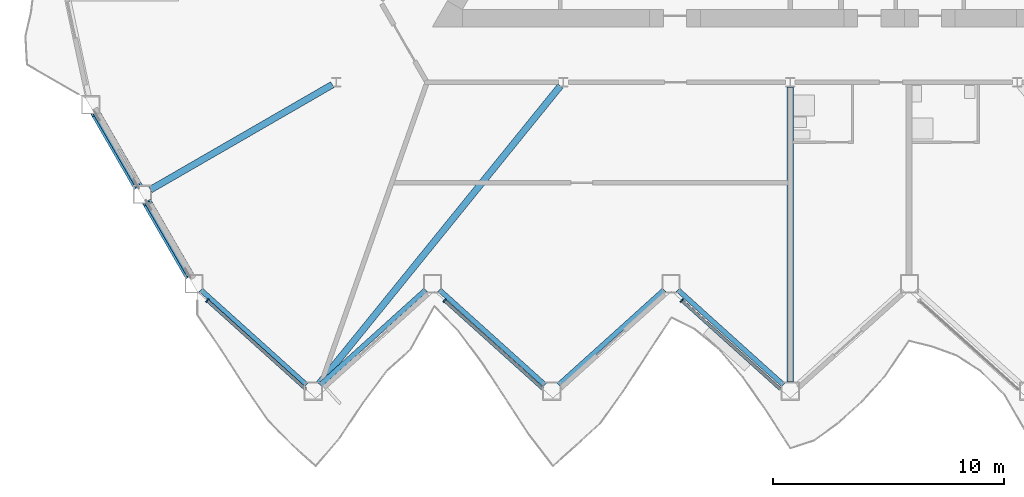
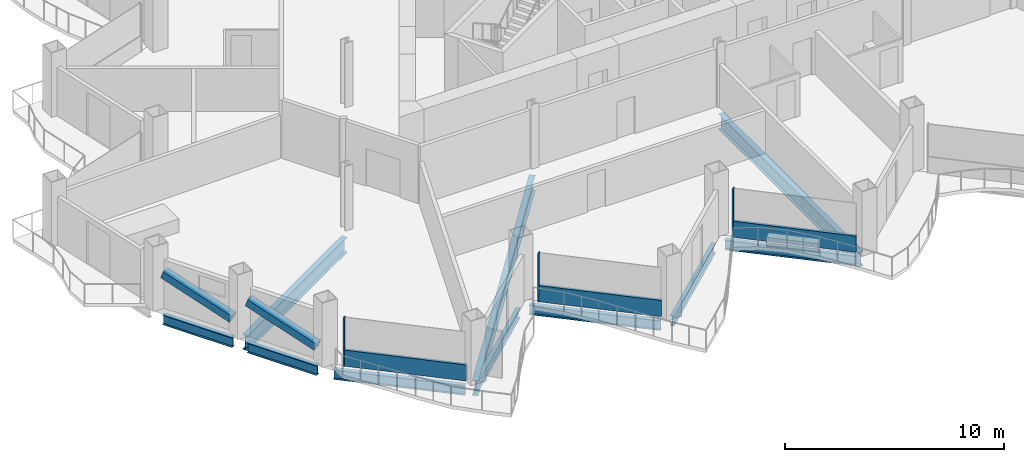
# One storey, part 3 of 22: 10 beams, 8 members, 3 elements without a shape of their own.
"""IFC4 building model written with IfcOpenShell, lengths in metres."""

from ifc_helpers import new_model, si_unit, direction, frame, origin, origin_2d, place, context, subcontext, project, spatial, rectangle, hollow_rectangle, i_section, extrude, material, layer, layer_set, material_profile, profile_set, type_object, element, aggregate, save


model = new_model("IFC4")

# Units and contexts
model_context = context("Model", 3, precision=1e-05, world=origin(), true_north=direction((0.0, 1.0)))
body_context = subcontext(model_context, "Body", "Model", "MODEL_VIEW")
ifc_project = project(units=[si_unit("LENGTHUNIT", "METRE"), si_unit("AREAUNIT", "SQUARE_METRE"), si_unit("VOLUMEUNIT", "CUBIC_METRE"), si_unit("PLANEANGLEUNIT", "RADIAN"), si_unit("MASSUNIT", "GRAM", prefix="KILO")], contexts=[model_context])

# Site, building, storey
site_placement = place(None, origin())
site = spatial("IfcSite", under=ifc_project, at=site_placement, CompositionType="ELEMENT")
building_placement = place(site_placement, origin())
building = spatial("IfcBuilding", under=site, at=building_placement, Name="Cormorant Prow Tower", CompositionType="ELEMENT")
storey_placement = place(building_placement, frame((0.0, 0.0, 194.39990234375)))
storey = spatial("IfcBuildingStorey", under=building, at=storey_placement, Name="L42", CompositionType="ELEMENT", Elevation=194.39990234375)

# Members
ifc_material_1 = material(Name="Structural steel ASTM A500 Gr C", Category="steel")
ifc_material_profile_1 = material_profile(ifc_material_1, hollow_rectangle(XDim=0.406494140625, YDim=0.406494140625, WallThickness=0.01171875, at=origin_2d()), Name="HSS16x16x1/2")
ifc_profile_set_1 = profile_set([ifc_material_profile_1], Name="Structural steel ASTM A500 Gr C")
member_type_1 = type_object("IfcMemberType", Name="Chamfer brace HSS16x16x1/2", PredefinedType="BRACE", material=ifc_profile_set_1)
member_1_placement = place(storey_placement, frame((-28.267333984375, -15.838623046875, 0.740234375), z_axis=(-0.473992878603, 0.821006330213, 0.318244177926), x_axis=(-0.866032413668, -0.499987858329, 0.0)))
element("IfcMember", 1, at=member_1_placement, inside=storey, type_object=member_type_1, Name="Chamfer brace BR2 at WSW00 L42", PredefinedType="BRACE", context=body_context, shape_type="SweptSolid", body=[
    extrude(hollow_rectangle(XDim=0.406494140625, YDim=0.406494140625, WallThickness=0.01171875, at=origin_2d()), origin(), (0.0, 0.0, 1.0), 3.835693359375),
])
member_2_placement = place(storey_placement, frame((-26.0322265625, -19.7099609375, 0.740234375), z_axis=(-0.474017648602, 0.820985582338, 0.318260808783), x_axis=(-0.866015628144, -0.500016931523, 0.0)))
element("IfcMember", 2, at=member_2_placement, inside=storey, type_object=member_type_1, Name="Chamfer brace BR2 at WSW01 L42", PredefinedType="BRACE", context=body_context, shape_type="SweptSolid", body=[
    extrude(hollow_rectangle(XDim=0.406494140625, YDim=0.406494140625, WallThickness=0.01171875, at=origin_2d()), origin(), (0.0, 0.0, 1.0), 3.83544921875),
])

# Curtain wall, member
ifc_material_2 = material(Name="Aluminium 6063-T6", Category="aluminium")
ifc_layer = layer(ifc_material_2, 0.179931640625)
ifc_layer_set = layer_set([ifc_layer], Name="Aluminium 6063-T6")
curtain_wall_type = type_object("IfcCurtainWallType", Name="Hotel unitised curtain wall 180", PredefinedType="NOTDEFINED", material=ifc_layer_set)
curtain_wall_1_placement = place(storey_placement, origin())
curtain_wall_1 = element("IfcCurtainWall", 3, at=curtain_wall_1_placement, inside=storey, type_object=curtain_wall_type, Name="Hotel curtain wall S00", PredefinedType="NOTDEFINED")
ifc_material_3 = material(Name="Aluminium 6063-T6", Category="aluminium")
ifc_material_profile_2 = material_profile(ifc_material_3, rectangle(XDim=0.179931640625, YDim=0.06005859375, at=origin_2d()), Name="Hotel mullion 60x180")
ifc_profile_set_2 = profile_set([ifc_material_profile_2], Name="Aluminium 6063-T6")
member_type_2 = type_object("IfcMemberType", Name="Hotel mullion 60x180", PredefinedType="MULLION", material=ifc_profile_set_2)
member_3_placement = place(storey_placement, frame((-25.248291015625, -20.799072265625, 0.0), z_axis=(0.0, 0.0, 1.0), x_axis=(0.66913059916, 0.743144831959, 0.0)))
member_3 = element("IfcMember", 4, at=member_3_placement, type_object=member_type_2, Name="Hotel mullion S00", PredefinedType="MULLION", context=body_context, shape_type="SweptSolid", body=[
    extrude(rectangle(XDim=0.179931640625, YDim=0.06005859375, at=origin_2d()), origin(), (0.0, 0.0, 1.0), 2.700927734375),
])

curtain_wall_2_placement = place(storey_placement, origin())
curtain_wall_2 = element("IfcCurtainWall", 5, at=curtain_wall_2_placement, inside=storey, type_object=curtain_wall_type, Name="Hotel curtain wall S02", PredefinedType="NOTDEFINED")
member_4_placement = place(storey_placement, frame((-14.97119140625, -20.799072265625, 0.0), z_axis=(0.0, 0.0, 1.0), x_axis=(0.66913059916, 0.743144831959, 0.0)))
member_4 = element("IfcMember", 6, at=member_4_placement, type_object=member_type_2, Name="Hotel mullion S02", PredefinedType="MULLION", context=body_context, shape_type="SweptSolid", body=[
    extrude(rectangle(XDim=0.179931640625, YDim=0.06005859375, at=origin_2d()), origin(), (0.0, 0.0, 1.0), 2.700927734375),
])

curtain_wall_3_placement = place(storey_placement, origin())
curtain_wall_3 = element("IfcCurtainWall", 7, at=curtain_wall_3_placement, inside=storey, type_object=curtain_wall_type, Name="Hotel curtain wall S04", PredefinedType="NOTDEFINED")
member_5_placement = place(storey_placement, frame((-4.694091796875, -20.799072265625, 0.0), z_axis=(0.0, 0.0, 1.0), x_axis=(0.66913059916, 0.743144831959, 0.0)))
member_5 = element("IfcMember", 8, at=member_5_placement, type_object=member_type_2, Name="Hotel mullion S04", PredefinedType="MULLION", context=body_context, shape_type="SweptSolid", body=[
    extrude(rectangle(XDim=0.179931640625, YDim=0.06005859375, at=origin_2d()), origin(), (0.0, 0.0, 1.0), 2.700927734375),
])

# Member
ifc_material_4 = material(Name="Terracotta", Category="masonry")
ifc_material_profile_3 = material_profile(ifc_material_4, rectangle(XDim=0.139892578125, YDim=0.89990234375, at=origin_2d()), Name="Hotel terracotta spandrel rail 140x900")
ifc_profile_set_3 = profile_set([ifc_material_profile_3], Name="Terracotta")
member_type_3 = type_object("IfcMemberType", Name="Hotel terracotta spandrel rail 140x900", PredefinedType="USERDEFINED", material=ifc_profile_set_3)
member_6_placement = place(storey_placement, frame((-25.225830078125, -20.819091796875, 0.4501953125), z_axis=(0.743130669923, -0.669146327361, 0.0), x_axis=(0.669146327361, 0.743130669923, 0.0)))
member_6 = element("IfcMember", 9, at=member_6_placement, type_object=member_type_3, Name="Hotel spandrel rail S00", ObjectType="TRANSOM", PredefinedType="USERDEFINED", context=body_context, shape_type="SweptSolid", body=[
    extrude(rectangle(XDim=0.139892578125, YDim=0.89990234375, at=origin_2d()), origin(), (0.0, 0.0, 1.0), 5.71875),
])

aggregate(curtain_wall_1, [member_3, member_6])

member_7_placement = place(storey_placement, frame((-14.948974609375, -20.819091796875, 0.4501953125), z_axis=(0.743130669923, -0.669146327361, 0.0), x_axis=(0.669146327361, 0.743130669923, 0.0)))
member_7 = element("IfcMember", 10, at=member_7_placement, type_object=member_type_3, Name="Hotel spandrel rail S02", ObjectType="TRANSOM", PredefinedType="USERDEFINED", context=body_context, shape_type="SweptSolid", body=[
    extrude(rectangle(XDim=0.139892578125, YDim=0.89990234375, at=origin_2d()), origin(), (0.0, 0.0, 1.0), 5.71875),
])

aggregate(curtain_wall_2, [member_4, member_7])

member_8_placement = place(storey_placement, frame((-4.671875, -20.819091796875, 0.4501953125), z_axis=(0.743130669923, -0.669146327361, 0.0), x_axis=(0.669146327361, 0.743130669923, 0.0)))
member_8 = element("IfcMember", 11, at=member_8_placement, type_object=member_type_3, Name="Hotel spandrel rail S04", ObjectType="TRANSOM", PredefinedType="USERDEFINED", context=body_context, shape_type="SweptSolid", body=[
    extrude(rectangle(XDim=0.139892578125, YDim=0.89990234375, at=origin_2d()), origin(), (0.0, 0.0, 1.0), 5.71875),
])

aggregate(curtain_wall_3, [member_5, member_8])

# Beams
ifc_material_5 = material(Name="Structural steel ASTM A992 Gr 50", Category="steel")
ifc_material_profile_4 = material_profile(ifc_material_5, i_section(OverallWidth=0.29296875, OverallDepth=0.845703125, WebThickness=0.015380859375, FlangeThickness=0.0244140625, at=origin_2d()), Name="W33x141")
ifc_profile_set_4 = profile_set([ifc_material_profile_4], Name="Structural steel ASTM A992 Gr 50")
beam_type_1 = type_object("IfcBeamType", Name="Radial floor beam W33x141", PredefinedType="BEAM", material=ifc_profile_set_4)
beam_1_placement = place(storey_placement, frame((-19.833251953125, -11.45068359375, -0.772705078125), z_axis=(-0.866023373109, -0.500003517217, 0.0), x_axis=(0.500003517217, -0.866023373109, 0.0)))
element("IfcBeam", 12, at=beam_1_placement, inside=storey, type_object=beam_type_1, Name="Radial floor beam FB2 5 L42", PredefinedType="BEAM", context=body_context, shape_type="SweptSolid", body=[
    extrude(i_section(OverallWidth=0.29296875, OverallDepth=0.845703125, WebThickness=0.015380859375, FlangeThickness=0.0244140625, at=origin_2d()), origin(), (0.0, 0.0, 1.0), 9.09814453125),
])
beam_2_placement = place(storey_placement, frame((-9.95654296875, -11.50732421875, -0.772705078125), z_axis=(-0.629385162657, -0.777093505974, 0.0), x_axis=(0.777093505974, -0.629385162657, 0.0)))
element("IfcBeam", 13, at=beam_2_placement, inside=storey, type_object=beam_type_1, Name="Radial floor beam FB2 6 L42", PredefinedType="BEAM", context=body_context, shape_type="SweptSolid", body=[
    extrude(i_section(OverallWidth=0.29296875, OverallDepth=0.845703125, WebThickness=0.015380859375, FlangeThickness=0.0244140625, at=origin_2d()), origin(), (0.0, 0.0, 1.0), 16.6044921875),
])
beam_3_placement = place(storey_placement, frame((0.0, -11.552734375, -0.772705078125), z_axis=(0.0, -1.0, 0.0), x_axis=(1.0, 0.0, 0.0)))
element("IfcBeam", 14, at=beam_3_placement, inside=storey, type_object=beam_type_1, Name="Radial floor beam FB2 7 L42", PredefinedType="BEAM", context=body_context, shape_type="SweptSolid", body=[
    extrude(i_section(OverallWidth=0.29296875, OverallDepth=0.845703125, WebThickness=0.015380859375, FlangeThickness=0.0244140625, at=origin_2d()), origin(), (0.0, 0.0, 1.0), 12.768798828125),
])
ifc_material_6 = material(Name="Structural steel ASTM A992 Gr 50", Category="steel")
ifc_material_profile_5 = material_profile(ifc_material_6, i_section(OverallWidth=0.2138671875, OverallDepth=0.549072265625, WebThickness=0.0146484375, FlangeThickness=0.023681640625, at=origin_2d()), Name="W21x93")
ifc_profile_set_5 = profile_set([ifc_material_profile_5], Name="Structural steel ASTM A992 Gr 50")
beam_type_2 = type_object("IfcBeamType", Name="Spandrel beam W21x93", PredefinedType="SPANDREL", material=ifc_profile_set_5)
beam_4_placement = place(storey_placement, frame((-25.5263671875, -20.3388671875, -0.62451171875), z_axis=(0.743155953285, -0.669118247469, 0.0), x_axis=(0.669118247469, 0.743155953285, 0.0)))
element("IfcBeam", 15, at=beam_4_placement, inside=storey, type_object=beam_type_2, Name="Spandrel beam SB2 S00-S01 L42", PredefinedType="SPANDREL", context=body_context, shape_type="SweptSolid", body=[
    extrude(i_section(OverallWidth=0.2138671875, OverallDepth=0.549072265625, WebThickness=0.0146484375, FlangeThickness=0.023681640625, at=origin_2d()), origin(), (0.0, 0.0, 1.0), 6.14990234375),
])
for number, where, z_axis, x_axis, name in (
    (16, (-20.361572265625, -24.453857421875, -0.62451171875), (0.743138178716, 0.669137988261, 0.0), (-0.669137988261, 0.743138178716, 0.0), "Spandrel beam SB2 S01-S02 L42"),
    (17, (-15.19677734375, -20.3388671875, -0.62451171875), (0.743138178716, -0.669137988261, 0.0), (0.669137988261, 0.743138178716, 0.0), "Spandrel beam SB2 S02-S03 L42"),
):
    element("IfcBeam", number, at=place(storey_placement, frame(where, z_axis=z_axis, x_axis=x_axis)), inside=storey, type_object=beam_type_2, Name=name, PredefinedType="SPANDREL", context=body_context, shape_type="SweptSolid", body=[
        extrude(i_section(OverallWidth=0.2138671875, OverallDepth=0.549072265625, WebThickness=0.0146484375, FlangeThickness=0.023681640625, at=origin_2d()), origin(), (0.0, 0.0, 1.0), 6.149658203125),
    ])
beam_5_placement = place(storey_placement, frame((-10.0322265625, -24.453857421875, -0.62451171875), z_axis=(0.743155953285, 0.669118247469, 0.0), x_axis=(-0.669118247469, 0.743155953285, 0.0)))
element("IfcBeam", 18, at=beam_5_placement, inside=storey, type_object=beam_type_2, Name="Spandrel beam SB2 S03-S04 L42", PredefinedType="SPANDREL", context=body_context, shape_type="SweptSolid", body=[
    extrude(i_section(OverallWidth=0.2138671875, OverallDepth=0.549072265625, WebThickness=0.0146484375, FlangeThickness=0.023681640625, at=origin_2d()), origin(), (0.0, 0.0, 1.0), 6.14990234375),
])
beam_6_placement = place(storey_placement, frame((-4.867431640625, -20.3388671875, -0.62451171875), z_axis=(0.743138178716, -0.669137988261, 0.0), x_axis=(0.669137988261, 0.743138178716, 0.0)))
element("IfcBeam", 19, at=beam_6_placement, inside=storey, type_object=beam_type_2, Name="Spandrel beam SB2 S04-S05 L42", PredefinedType="SPANDREL", context=body_context, shape_type="SweptSolid", body=[
    extrude(i_section(OverallWidth=0.2138671875, OverallDepth=0.549072265625, WebThickness=0.0146484375, FlangeThickness=0.023681640625, at=origin_2d()), origin(), (0.0, 0.0, 1.0), 6.149658203125),
])
for number, where, z_axis, x_axis, name in (
    (20, (-30.093994140625, -12.674560546875, -0.62451171875), (0.499994986164, -0.866028298505, 0.0), (0.866028298505, 0.499994986164, 0.0), "Spandrel beam SB2 WSW00-WSW01 L42"),
    (21, (-27.85888671875, -16.546142578125, -0.62451171875), (0.499994986164, -0.866028298505, 0.0), (0.866028298505, 0.499994986164, 0.0), "Spandrel beam SB2 WSW01-S00 L42"),
):
    element("IfcBeam", number, at=place(storey_placement, frame(where, z_axis=z_axis, x_axis=x_axis)), inside=storey, type_object=beam_type_2, Name=name, PredefinedType="SPANDREL", context=body_context, shape_type="SweptSolid", body=[
        extrude(i_section(OverallWidth=0.2138671875, OverallDepth=0.549072265625, WebThickness=0.0146484375, FlangeThickness=0.023681640625, at=origin_2d()), origin(), (0.0, 0.0, 1.0), 3.67041015625),
    ])

save(model, "model.ifc")
